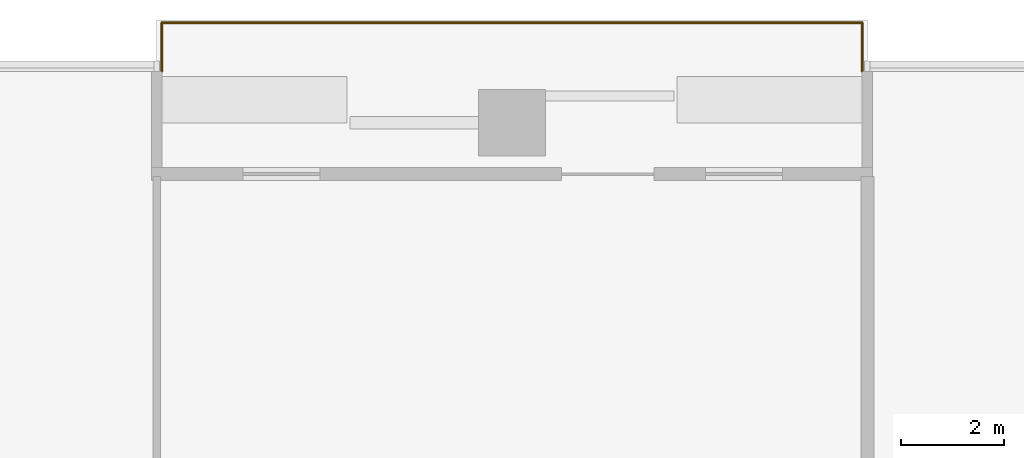
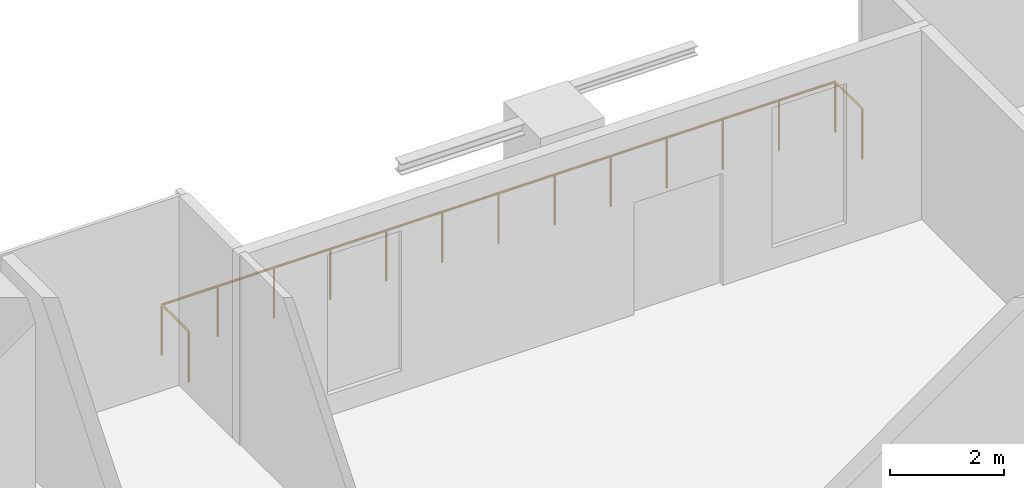
# One storey, part 15 of 15: 1 railing.
"""IFC4 building model written with IfcOpenShell, lengths in metres."""

from ifc_helpers import new_model, si_unit, direction, frame, origin, origin_2d, place, context, subcontext, project, spatial, circle, extrude, material, type_object, element, save


model = new_model("IFC4")

# Units and contexts
model_context = context("Model", 3, precision=1e-05, world=origin(), true_north=direction((0.0, 1.0)))
body_context = subcontext(model_context, "Body", "Model", "MODEL_VIEW")
ifc_project = project(units=[si_unit("LENGTHUNIT", "METRE"), si_unit("AREAUNIT", "SQUARE_METRE"), si_unit("VOLUMEUNIT", "CUBIC_METRE"), si_unit("PLANEANGLEUNIT", "RADIAN"), si_unit("MASSUNIT", "GRAM", prefix="KILO")], contexts=[model_context])

# Site, building, storey
site_placement = place(None, origin())
site = spatial("IfcSite", under=ifc_project, at=site_placement, CompositionType="ELEMENT")
building_placement = place(site_placement, origin())
building = spatial("IfcBuilding", under=site, at=building_placement, Name="Mopane Tessera Tower", CompositionType="ELEMENT")
storey_placement = place(building_placement, frame((0.0, 0.0, 99.10009765625)))
storey = spatial("IfcBuildingStorey", under=building, at=storey_placement, Name="L19", CompositionType="ELEMENT", Elevation=99.10009765625)

# Railing
ifc_material = material(Name="Stainless steel S316", Category="steel")
railing_type = type_object("IfcRailingType", Name="Terrace guard 1100", PredefinedType="GUARDRAIL", material=ifc_material)
railing_placement = place(storey_placement, frame((18.340087890625, 25.5, 0.0)))
element("IfcRailing", 1, at=railing_placement, inside=storey, type_object=railing_type, Name="e:nw:L19:N1:guard", PredefinedType="GUARDRAIL", context=body_context, shape_type="SweptSolid", body=[
    extrude(circle(Radius=0.02392578125, at=origin_2d()), frame((0.0, 0.0, 1.076171875), z_axis=(0.0, 1.0, 0.0), x_axis=(-1.0, 0.0, 0.0)), (0.0, 0.0, 1.0), 0.949951171875),
    extrude(circle(Radius=0.02392578125, at=origin_2d()), frame((0.0, 0.949951171875, 1.076171875), z_axis=(-1.0, 0.0, 0.0), x_axis=(0.0, -1.0, 0.0)), (0.0, 0.0, 1.0), 13.630126953125),
    extrude(circle(Radius=0.02392578125, at=origin_2d()), frame((-13.630126953125, 0.949951171875, 1.076171875), z_axis=(0.0, -1.0, 0.0), x_axis=(1.0, 0.0, 0.0)), (0.0, 0.0, 1.0), 0.949951171875),
    extrude(circle(Radius=0.02099609375, at=origin_2d()), origin(), (0.0, 0.0, 1.0), 1.052001953125),
    extrude(circle(Radius=0.02099609375, at=origin_2d()), frame((0.0, 0.949951171875, 0.0)), (0.0, 0.0, 1.0), 1.052001953125),
    extrude(circle(Radius=0.02099609375, at=origin_2d()), frame((-1.1357421875, 0.949951171875, 0.0)), (0.0, 0.0, 1.0), 1.052001953125),
    extrude(circle(Radius=0.02099609375, at=origin_2d()), frame((-2.271728515625, 0.949951171875, 0.0)), (0.0, 0.0, 1.0), 1.052001953125),
    extrude(circle(Radius=0.02099609375, at=origin_2d()), frame((-3.407470703125, 0.949951171875, 0.0)), (0.0, 0.0, 1.0), 1.052001953125),
    extrude(circle(Radius=0.02099609375, at=origin_2d()), frame((-4.54345703125, 0.949951171875, 0.0)), (0.0, 0.0, 1.0), 1.052001953125),
    extrude(circle(Radius=0.02099609375, at=origin_2d()), frame((-5.67919921875, 0.949951171875, 0.0)), (0.0, 0.0, 1.0), 1.052001953125),
    extrude(circle(Radius=0.02099609375, at=origin_2d()), frame((-6.81494140625, 0.949951171875, 0.0)), (0.0, 0.0, 1.0), 1.052001953125),
    extrude(circle(Radius=0.02099609375, at=origin_2d()), frame((-7.950927734375, 0.949951171875, 0.0)), (0.0, 0.0, 1.0), 1.052001953125),
    extrude(circle(Radius=0.02099609375, at=origin_2d()), frame((-9.086669921875, 0.949951171875, 0.0)), (0.0, 0.0, 1.0), 1.052001953125),
    extrude(circle(Radius=0.02099609375, at=origin_2d()), frame((-10.22265625, 0.949951171875, 0.0)), (0.0, 0.0, 1.0), 1.052001953125),
    extrude(circle(Radius=0.02099609375, at=origin_2d()), frame((-11.3583984375, 0.949951171875, 0.0)), (0.0, 0.0, 1.0), 1.052001953125),
    extrude(circle(Radius=0.02099609375, at=origin_2d()), frame((-12.494384765625, 0.949951171875, 0.0)), (0.0, 0.0, 1.0), 1.052001953125),
    extrude(circle(Radius=0.02099609375, at=origin_2d()), frame((-13.630126953125, 0.949951171875, 0.0)), (0.0, 0.0, 1.0), 1.052001953125),
    extrude(circle(Radius=0.02099609375, at=origin_2d()), frame((-13.630126953125, 0.0, 0.0)), (0.0, 0.0, 1.0), 1.052001953125),
])

save(model, "model.ifc")
